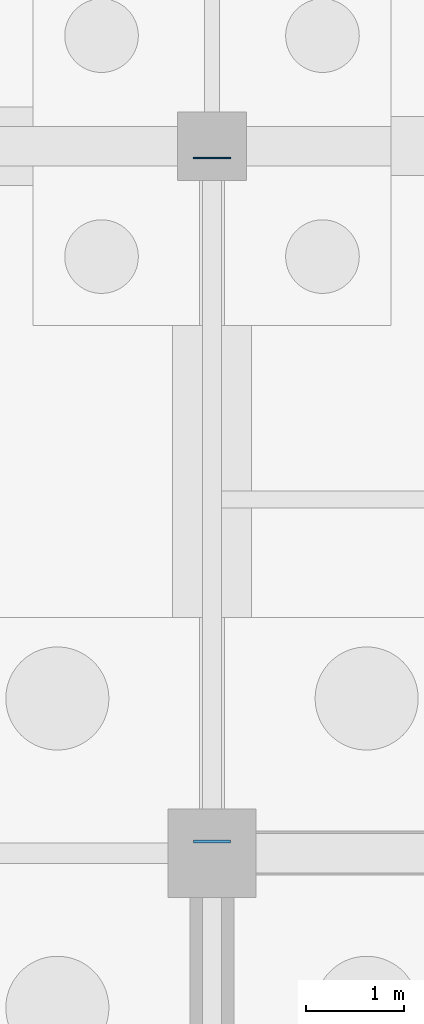
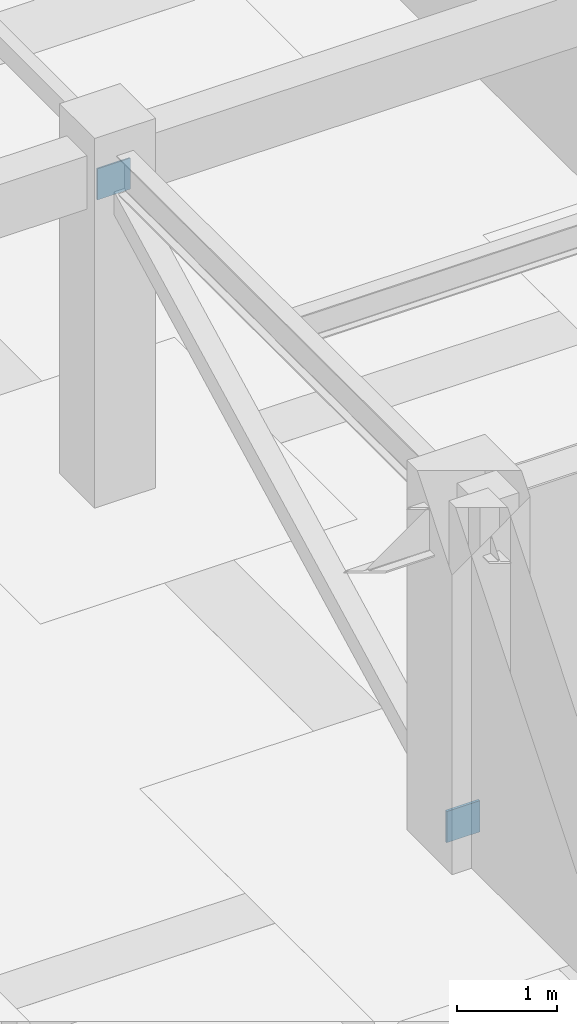
# One storey, part 32 of 48: 2 plates.
"""IFC4 building model written with IfcOpenShell, lengths in metres."""

from ifc_helpers import new_model, si_unit, direction, frame, origin, origin_2d, place, context, subcontext, project, spatial, rectangle, extrude, material, layer, layer_set, type_object, element, save


model = new_model("IFC4")

# Units and contexts
model_context = context("Model", 3, precision=1e-05, world=origin(), true_north=direction((0.0, 1.0)))
body_context = subcontext(model_context, "Body", "Model", "MODEL_VIEW")
ifc_project = project(units=[si_unit("LENGTHUNIT", "METRE"), si_unit("AREAUNIT", "SQUARE_METRE"), si_unit("VOLUMEUNIT", "CUBIC_METRE"), si_unit("PLANEANGLEUNIT", "RADIAN"), si_unit("MASSUNIT", "GRAM", prefix="KILO")], contexts=[model_context])

# Site, building, storey
site_placement = place(None, origin())
site = spatial("IfcSite", under=ifc_project, at=site_placement, CompositionType="ELEMENT")
building_placement = place(site_placement, origin())
building = spatial("IfcBuilding", under=site, at=building_placement, Name="Carrowvane Square Congress Hotel", CompositionType="ELEMENT")
storey_placement = place(building_placement, frame((0.0, 0.0, -4.5)))
storey = spatial("IfcBuildingStorey", under=building, at=storey_placement, Name="B01", CompositionType="ELEMENT", Elevation=-4.5)

# Plates
ifc_material_1 = material(Name="Steel S355", Category="steel")
ifc_layer_1 = layer(ifc_material_1, 0.030029296875)
ifc_layer_set_1 = layer_set([ifc_layer_1], Name="Steel S355")
plate_type_1 = type_object("IfcPlateType", Name="PLT-GUS-30", PredefinedType="USERDEFINED", material=ifc_layer_set_1)
plate_1_placement = place(storey_placement, frame((62.0, 55.919921875, -0.0400390625), z_axis=(0.0, 0.0, 1.0), x_axis=(1.0, 0.0, 0.0)))
element("IfcPlate", 1, at=plate_1_placement, inside=storey, type_object=plate_type_1, Name="B01 brace connection end plate 265", ObjectType="GUSSET PLATE", PredefinedType="USERDEFINED", context=body_context, shape_type="SweptSolid", body=[
    extrude(rectangle(XDim=0.3798828125, YDim=0.030029296875, at=origin_2d()), origin(), (0.0, 0.0, 1.0), 0.3798828125),
])
ifc_material_2 = material(Name="Steel S355", Category="steel")
ifc_layer_2 = layer(ifc_material_2, 0.01611328125)
ifc_layer_set_2 = layer_set([ifc_layer_2], Name="Steel S355")
plate_type_2 = type_object("IfcPlateType", Name="PLT-STF-16", PredefinedType="USERDEFINED", material=ifc_layer_set_2)
plate_2_placement = place(storey_placement, frame((62.0, 62.8798828125, 3.56005859375), z_axis=(0.0, 0.0, 1.0), x_axis=(1.0, 0.0, 0.0)))
element("IfcPlate", 2, at=plate_2_placement, inside=storey, type_object=plate_type_2, Name="B01 brace connection end plate 266", ObjectType="STIFFENER PLATE", PredefinedType="USERDEFINED", context=body_context, shape_type="SweptSolid", body=[
    extrude(rectangle(XDim=0.3798828125, YDim=0.01611328125, at=origin_2d()), origin(), (0.0, 0.0, 1.0), 0.3798828125),
])

save(model, "model.ifc")
